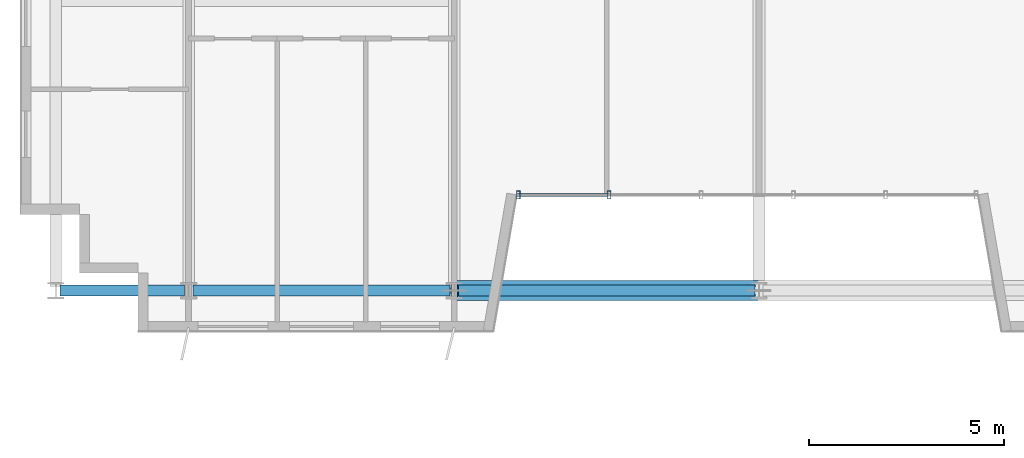
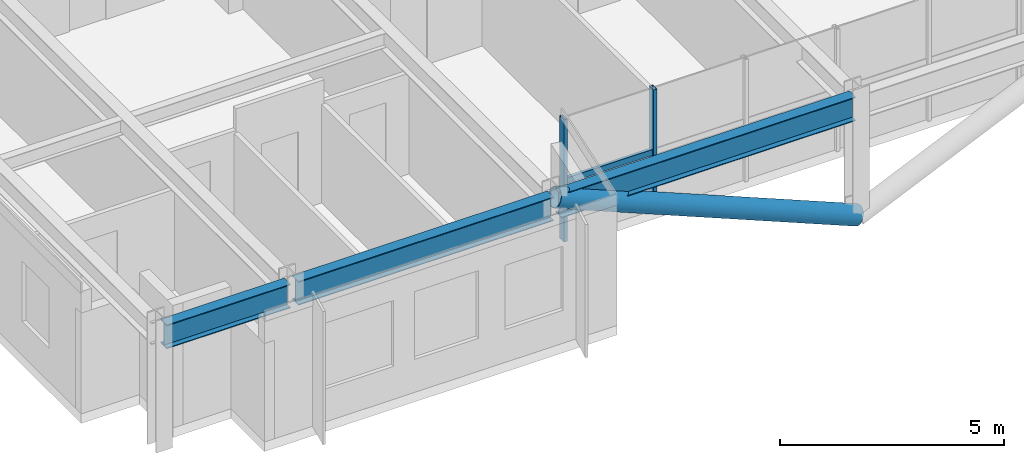
# One storey, part 4 of 25: 4 members, 3 beams, 1 element without a shape of its own.
"""IFC4 building model written with IfcOpenShell, lengths in metres."""

import ifcopenshell
import ifcopenshell.guid

model = None  # the IFC model being written
_history = None  # IfcOwnerHistory: only IFC2X3 demands one
_inside = {}  # id of a spatial element -> (the spatial element, [elements in it])
_under = {}  # id of a project, library or spatial element -> (it, [spatial elements below it])
_declared = {}  # id of a project -> (the project, [libraries it declares])
_typed = {}  # id of a type object -> (the type object, [elements of that type])
_made_of = {}  # id of a material, layer set ... -> (it, [elements and type objects made of it])


def new_model(schema):
    """Start an empty IFC model of exactly this schema.

    Asked for "IFC4X3", IfcOpenShell would pick the latest addendum, in which some entities
    have other attributes; the version numbers below select the first issue.
    IFC2X3 requires an IfcOwnerHistory on every rooted entity: one is made here for all.
    """
    global model, _history
    if schema == "IFC4X3":
        model = ifcopenshell.file(schema_version=(4, 3, 0, 0))
    else:
        model = ifcopenshell.file(schema=schema)
    _inside.clear()
    _under.clear()
    _declared.clear()
    _typed.clear()
    _made_of.clear()
    _history = None
    if model.schema == "IFC2X3":
        org = make("IfcOrganization", Name="unknown")
        user = make(
            "IfcPersonAndOrganization",
            ThePerson=make("IfcPerson", FamilyName="unknown"),
            TheOrganization=org,
        )
        app = make(
            "IfcApplication",
            ApplicationDeveloper=org,
            Version="unknown",
            ApplicationFullName="unknown",
            ApplicationIdentifier="unknown",
        )
        _history = make(
            "IfcOwnerHistory",
            OwningUser=user,
            OwningApplication=app,
            ChangeAction="ADDED",
            CreationDate=0,
        )
    return model


def make(cls, **values):
    """One entity of the class cls with the attributes given. An attribute that is None is left unset."""
    return model.create_entity(
        cls, **{name: value for name, value in values.items() if value is not None}
    )


def rooted(cls, **values):
    """An entity with a GlobalId (a new one), such as an element, a storey or a relation."""
    return make(cls, GlobalId=ifcopenshell.guid.new(), OwnerHistory=_history, **values)


def si_unit(unit_type, name, prefix=None):
    """IfcSIUnit, for example si_unit("LENGTHUNIT", "METRE", prefix="MILLI")."""
    return make("IfcSIUnit", UnitType=unit_type, Prefix=prefix, Name=name)


def assignment(units):
    """IfcUnitAssignment: the units of a project."""
    return None if units is None else make("IfcUnitAssignment", Units=units)


def point(xyz):
    """IfcCartesianPoint."""
    return None if xyz is None else make("IfcCartesianPoint", Coordinates=xyz)


def direction(xyz):
    """IfcDirection."""
    return None if xyz is None else make("IfcDirection", DirectionRatios=xyz)


def frame(location, z_axis=None, x_axis=None):
    """IfcAxis2Placement3D, a coordinate frame: its origin and axes. An axis left out is left unset."""
    return make(
        "IfcAxis2Placement3D",
        Location=point(location),
        Axis=direction(z_axis),
        RefDirection=direction(x_axis),
    )


def frame_2d(location, x_axis=None):
    """IfcAxis2Placement2D, a coordinate frame in the plane: its origin and x axis."""
    return make(
        "IfcAxis2Placement2D", Location=point(location), RefDirection=direction(x_axis)
    )


def origin():
    """The frame at (0, 0, 0) with its axes left unset."""
    return frame((0.0, 0.0, 0.0))


def origin_2d():
    """The frame at (0, 0) in the plane with its x axis left unset."""
    return frame_2d((0.0, 0.0))


def place(relative_to, where):
    """IfcLocalPlacement: puts the frame where relative to a parent placement (None: the world)."""
    return make(
        "IfcLocalPlacement", PlacementRelTo=relative_to, RelativePlacement=where
    )


def context(
    kind, dimensions, precision=None, world=None, true_north=None, identifier=None
):
    """IfcGeometricRepresentationContext, for example the 3D "Model" context."""
    return make(
        "IfcGeometricRepresentationContext",
        ContextIdentifier=identifier,
        ContextType=kind,
        CoordinateSpaceDimension=dimensions,
        Precision=precision,
        WorldCoordinateSystem=world,
        TrueNorth=true_north,
    )


def subcontext(parent, identifier, kind, view, scale=None):
    """IfcGeometricRepresentationSubContext, for example "Body" below "Model"."""
    return make(
        "IfcGeometricRepresentationSubContext",
        ContextIdentifier=identifier,
        ContextType=kind,
        ParentContext=parent,
        TargetScale=scale,
        TargetView=view,
    )


def project(units=None, contexts=None):
    """IfcProject with its units and contexts."""
    return rooted(
        "IfcProject",
        Name="project",
        RepresentationContexts=contexts,
        UnitsInContext=assignment(units),
    )


def spatial(cls, under=None, at=None, **own):
    """A site, building, storey or space (cls), placed at a placement, below another one or the project."""
    s = rooted(cls, ObjectPlacement=at, **own)
    if under is not None:
        _under.setdefault(under.id(), (under, []))[1].append(s)
    return s


def profile(cls, at=None, kind="AREA", **sizes):
    """A parametric profile (cls). Its sizes go by their IFC names, for example OverallWidth=200.0."""
    return make(cls, ProfileType=kind, Position=at, **sizes)


def hollow_rectangle(**sizes):
    """IfcRectangleHollowProfileDef."""
    return profile("IfcRectangleHollowProfileDef", **sizes)


def hollow_circle(**sizes):
    """IfcCircleHollowProfileDef."""
    return profile("IfcCircleHollowProfileDef", **sizes)


def i_section(**sizes):
    """IfcIShapeProfileDef."""
    return profile("IfcIShapeProfileDef", **sizes)


def extrude(swept, where, along, depth):
    """IfcExtrudedAreaSolid: the profile swept, set in the frame where, extruded along a direction by depth."""
    return make(
        "IfcExtrudedAreaSolid",
        SweptArea=swept,
        Position=where,
        ExtrudedDirection=direction(along),
        Depth=depth,
    )


def shape(context_of_items, identifier, shape_type, items):
    """IfcShapeRepresentation: the items that make up one representation, for example the "Body"."""
    return make(
        "IfcShapeRepresentation",
        ContextOfItems=context_of_items,
        RepresentationIdentifier=identifier,
        RepresentationType=shape_type,
        Items=items,
    )


def source(mapping_origin, context_of_items, identifier, shape_type, items):
    """IfcRepresentationMap: a shape defined once, which mapped items show again and again."""
    return make(
        "IfcRepresentationMap",
        MappingOrigin=mapping_origin,
        MappedRepresentation=shape(context_of_items, identifier, shape_type, items),
    )


def transform(
    local_origin,
    x_axis=None,
    y_axis=None,
    z_axis=None,
    scale=None,
    scale2=None,
    scale3=None,
    uniform=True,
):
    """IfcCartesianTransformationOperator3D, or its non-uniform kind. x_axis, y_axis, z_axis: its Axis1, 2, 3."""
    if uniform:
        return make(
            "IfcCartesianTransformationOperator3D",
            Axis1=direction(x_axis),
            Axis2=direction(y_axis),
            LocalOrigin=point(local_origin),
            Scale=scale,
            Axis3=direction(z_axis),
        )
    return make(
        "IfcCartesianTransformationOperator3DnonUniform",
        Axis1=direction(x_axis),
        Axis2=direction(y_axis),
        LocalOrigin=point(local_origin),
        Scale=scale,
        Axis3=direction(z_axis),
        Scale2=scale2,
        Scale3=scale3,
    )


def mapped(mapping_source, mapping_target):
    """IfcMappedItem: shows the shape of a source again, moved by a transform."""
    return make(
        "IfcMappedItem", MappingSource=mapping_source, MappingTarget=mapping_target
    )


def material(Name=None, Category=None):
    """IfcMaterial."""
    return make("IfcMaterial", Name=Name, Category=Category)


def material_profile(
    of_material, cross_section, Name=None, Category=None, Priority=None
):
    """IfcMaterialProfile: a cross section and its material."""
    return make(
        "IfcMaterialProfile",
        Name=Name,
        Material=of_material,
        Profile=cross_section,
        Priority=Priority,
        Category=Category,
    )


def profile_set(profiles, Name=None, composite=None):
    """IfcMaterialProfileSet."""
    return make(
        "IfcMaterialProfileSet",
        Name=Name,
        MaterialProfiles=profiles,
        CompositeProfile=composite,
    )


def made_of(thing, what):
    """Note that an element or type object is made of a material, layer set ...; save() writes the relation."""
    if what is not None:
        _made_of.setdefault(what.id(), (what, []))[1].append(thing)
    return thing


def type_object(cls, material=None, **own):
    """A type object (cls), such as IfcWallType, which elements share."""
    return made_of(rooted(cls, **own), material)


def element(
    cls,
    number,
    at=None,
    inside=None,
    cuts=None,
    type_object=None,
    material=None,
    context=None,
    identifier="Body",
    shape_type=None,
    held_by="IfcProductDefinitionShape",
    body=None,
    shapes=None,
    **own,
):
    """One element of the class cls, such as IfcWall. Its Tag is "e" and its number.

    at: its placement. inside: the storey or other place that contains it. cuts: it is an
    opening in that element (IfcRelVoidsElement). A single representation is given by context,
    identifier, shape_type and body (its items); several are given by shapes. held_by: the class
    of the entity that holds the representations. save() writes the other relations.
    """
    e = rooted(cls, Tag="e%d" % number, ObjectPlacement=at, **own)
    if body is not None:
        shapes = [shape(context, identifier, shape_type, body)]
    if shapes is not None:
        e.Representation = make(held_by, Representations=shapes)
    if inside is not None:
        _inside.setdefault(inside.id(), (inside, []))[1].append(e)
    if cuts is not None:
        rooted(
            "IfcRelVoidsElement", RelatingBuildingElement=cuts, RelatedOpeningElement=e
        )
    if type_object is not None:
        _typed.setdefault(type_object.id(), (type_object, []))[1].append(e)
    return made_of(e, material)


def aggregate(whole, parts):
    """IfcRelAggregates: a whole, such as a stair, and the parts it consists of."""
    return rooted("IfcRelAggregates", RelatingObject=whole, RelatedObjects=parts)


def save(model, path):
    """Write the relations noted so far, then the file.

    IfcRelAggregates (storeys below a building ...), IfcRelContainedInSpatialStructure (elements
    in a storey), IfcRelDefinesByType, IfcRelAssociatesMaterial and IfcRelDeclares: one each for
    every whole, place, type object, material and project.
    """
    for whole, parts in _under.values():
        aggregate(whole, parts)
    for where, things in _inside.values():
        rooted(
            "IfcRelContainedInSpatialStructure",
            RelatedElements=things,
            RelatingStructure=where,
        )
    for kind, things in _typed.values():
        rooted("IfcRelDefinesByType", RelatedObjects=things, RelatingType=kind)
    for what, things in _made_of.values():
        rooted("IfcRelAssociatesMaterial", RelatedObjects=things, RelatingMaterial=what)
    for by, libraries in _declared.values():
        rooted("IfcRelDeclares", RelatingContext=by, RelatedDefinitions=libraries)
    model.write(path)


model = new_model("IFC4")

# Units and contexts
model_context = context("Model", 3, precision=1e-05, world=origin(), true_north=direction((0.0, 1.0)))
body_context = subcontext(model_context, "Body", "Model", "MODEL_VIEW")
ifc_project = project(units=[si_unit("LENGTHUNIT", "METRE"), si_unit("AREAUNIT", "SQUARE_METRE"), si_unit("VOLUMEUNIT", "CUBIC_METRE"), si_unit("PLANEANGLEUNIT", "RADIAN"), si_unit("MASSUNIT", "GRAM", prefix="KILO")], contexts=[model_context])

# Site, building, storey
site_placement = place(None, origin())
site = spatial("IfcSite", under=ifc_project, at=site_placement, CompositionType="ELEMENT")
building_placement = place(site_placement, origin())
building = spatial("IfcBuilding", under=site, at=building_placement, Name="Trelvane Seafront Commons", CompositionType="ELEMENT")
storey_placement = place(building_placement, frame((0.0, 0.0, 66.699951171875)))
storey = spatial("IfcBuildingStorey", under=building, at=storey_placement, Name="L17", CompositionType="ELEMENT", Elevation=66.699951171875)

# Beams
ifc_material_1 = material(Name="Steel SM355 (S355)", Category="steel")
ifc_material_profile_1 = material_profile(ifc_material_1, i_section(OverallWidth=0.280029296875, OverallDepth=0.64990234375, WebThickness=0.012939453125, FlangeThickness=0.02197265625, at=origin_2d()), Name="H-650x280x13x22")
ifc_profile_set_1 = profile_set([ifc_material_profile_1], Name="Steel SM355 (S355)")
beam_type = type_object("IfcBeamType", Name="STR-BM-H650", PredefinedType="BEAM", material=ifc_profile_set_1)
shared_shape_1 = source(origin(), body_context, "Body", "SweptSolid", [
    extrude(i_section(OverallWidth=0.280029296875, OverallDepth=0.64990234375, WebThickness=0.012939453125, FlangeThickness=0.02197265625, at=origin_2d()), origin(), (0.0, 0.0, 1.0), 3.190185546875),
])
beam_1_placement = place(storey_placement, frame((5.5048828125, 3.949951171875, 3.01513671875), z_axis=(1.0, 0.0, 0.0), x_axis=(0.0, 1.0, 0.0)))
element("IfcBeam", 1, at=beam_1_placement, inside=storey, type_object=beam_type, Name="L17 Primary Girder G-01", PredefinedType="BEAM", context=body_context, shape_type="MappedRepresentation", body=[
    mapped(shared_shape_1, transform((0.0, 0.0, 0.0), x_axis=(1.0, 0.0, 0.0), y_axis=(0.0, 1.0, 0.0), z_axis=(0.0, 0.0, 1.0), scale=1.0)),
])
shared_shape_2 = source(origin(), body_context, "Body", "SweptSolid", [
    extrude(i_section(OverallWidth=0.280029296875, OverallDepth=0.64990234375, WebThickness=0.012939453125, FlangeThickness=0.02197265625, at=origin_2d()), origin(), (0.0, 0.0, 1.0), 6.590087890625),
])
beam_2_placement = place(storey_placement, frame((8.905029296875, 3.949951171875, 3.01513671875), z_axis=(1.0, 0.0, 0.0), x_axis=(0.0, 1.0, 0.0)))
element("IfcBeam", 2, at=beam_2_placement, inside=storey, type_object=beam_type, Name="L17 Primary Girder G-02", PredefinedType="BEAM", context=body_context, shape_type="MappedRepresentation", body=[
    mapped(shared_shape_2, transform((0.0, 0.0, 0.0), x_axis=(1.0, 0.0, 0.0), y_axis=(0.0, 1.0, 0.0), z_axis=(0.0, 0.0, 1.0), scale=1.0)),
])
shared_shape_3 = source(origin(), body_context, "Body", "SweptSolid", [
    extrude(i_section(OverallWidth=0.280029296875, OverallDepth=0.64990234375, WebThickness=0.012939453125, FlangeThickness=0.02197265625, at=origin_2d()), origin(), (0.0, 0.0, 1.0), 7.58984375),
])
beam_3_placement = place(storey_placement, frame((15.705078125, 3.949951171875, 3.01513671875), z_axis=(1.0, 0.0, 0.0), x_axis=(0.0, 1.0, 0.0)))
element("IfcBeam", 3, at=beam_3_placement, inside=storey, type_object=beam_type, Name="L17 Primary Girder G-03", PredefinedType="BEAM", context=body_context, shape_type="MappedRepresentation", body=[
    mapped(shared_shape_3, transform((0.0, 0.0, 0.0), x_axis=(1.0, 0.0, 0.0), y_axis=(0.0, 1.0, 0.0), z_axis=(0.0, 0.0, 1.0), scale=1.0)),
])

# Member
ifc_material_profile_2 = material_profile(ifc_material_1, hollow_circle(Radius=0.25390625, WallThickness=0.02001953125, at=origin_2d()), Name="CHS-508x20")
ifc_profile_set_2 = profile_set([ifc_material_profile_2], Name="Steel SM355 (S355)")
member_type_1 = type_object("IfcMemberType", Name="STR-STR-CHS508", PredefinedType="STRUT", material=ifc_profile_set_2)
shared_shape_4 = source(origin(), body_context, "Body", "SweptSolid", [
    extrude(hollow_circle(Radius=0.25390625, WallThickness=0.02001953125, at=origin_2d()), origin(), (0.0, 0.0, 1.0), 8.438232421875),
])
member_1_placement = place(storey_placement, frame((23.39990234375, 3.949951171875, 0.0), z_axis=(-0.924331983769, 0.0, 0.381589286776), x_axis=(0.0, -1.0, 0.0)))
element("IfcMember", 4, at=member_1_placement, inside=storey, type_object=member_type_1, Name="L17 Sky-Garden V-Chevron Brace SGV-W", PredefinedType="STRUT", context=body_context, shape_type="MappedRepresentation", body=[
    mapped(shared_shape_4, transform((0.0, 0.0, 0.0), x_axis=(1.0, 0.0, 0.0), y_axis=(0.0, 1.0, 0.0), z_axis=(0.0, 0.0, 1.0), scale=1.0)),
])

# Curtain wall, members
ifc_material_2 = material(Name="Anodised pale-silver aluminium", Category="aluminium")
curtain_wall_type = type_object("IfcCurtainWallType", Name="ARCH-CW3-PORTAL", PredefinedType="NOTDEFINED", material=ifc_material_2)
curtain_wall_placement = place(storey_placement, origin())
curtain_wall = element("IfcCurtainWall", 5, at=curtain_wall_placement, inside=storey, type_object=curtain_wall_type, Name="CW-L17-VN-0042", PredefinedType="NOTDEFINED")
ifc_material_profile_3 = material_profile(ifc_material_2, hollow_rectangle(XDim=0.090087890625, YDim=0.199951171875, WallThickness=0.0048828125, at=origin_2d()), Name="MULL-90x200x5")
ifc_profile_set_3 = profile_set([ifc_material_profile_3], Name="Anodised pale-silver aluminium")
member_type_2 = type_object("IfcMemberType", Name="ARCH-CW-MULL-200", PredefinedType="MULLION", material=ifc_profile_set_3)
shared_shape_5 = source(origin(), body_context, "Body", "SweptSolid", [
    extrude(hollow_rectangle(XDim=0.090087890625, YDim=0.199951171875, WallThickness=0.0048828125, at=origin_2d()), origin(), (0.0, 0.0, 1.0), 3.340087890625),
])
member_2_placement = place(storey_placement, frame((19.56005859375, 6.39990234375, 0.0), z_axis=(0.0, 0.0, 1.0), x_axis=(1.0, 0.0, 0.0)))
member_2 = element("IfcMember", 6, at=member_2_placement, type_object=member_type_2, Name="CW-L17-VN-0042-M04", PredefinedType="MULLION", context=body_context, shape_type="MappedRepresentation", body=[
    mapped(shared_shape_5, transform((0.0, 0.0, 0.0), x_axis=(1.0, 0.0, 0.0), y_axis=(0.0, 1.0, 0.0), z_axis=(0.0, 0.0, 1.0), scale=1.0)),
])
member_3_placement = place(storey_placement, frame((17.239990234375, 6.39990234375, 0.0), z_axis=(0.0, 0.0, 1.0), x_axis=(1.0, 0.0, 0.0)))
member_3 = element("IfcMember", 7, at=member_3_placement, type_object=member_type_2, Name="CW-L17-VN-0042-M05", PredefinedType="MULLION", context=body_context, shape_type="MappedRepresentation", body=[
    mapped(shared_shape_5, transform((0.0, 0.0, 0.0), x_axis=(1.0, 0.0, 0.0), y_axis=(0.0, 1.0, 0.0), z_axis=(0.0, 0.0, 1.0), scale=1.0)),
])
ifc_material_profile_4 = material_profile(ifc_material_2, hollow_rectangle(XDim=0.080078125, YDim=0.159912109375, WallThickness=0.00439453125, at=origin_2d()), Name="TRAN-80x160x4.5")
ifc_profile_set_4 = profile_set([ifc_material_profile_4], Name="Anodised pale-silver aluminium")
member_type_3 = type_object("IfcMemberType", Name="ARCH-CW-TRAN-160", PredefinedType="USERDEFINED", material=ifc_profile_set_4)
shared_shape_6 = source(origin(), body_context, "Body", "SweptSolid", [
    extrude(hollow_rectangle(XDim=0.080078125, YDim=0.159912109375, WallThickness=0.00439453125, at=origin_2d()), origin(), (0.0, 0.0, 1.0), 2.336181640625),
])
member_4_placement = place(storey_placement, frame((19.548095703125, 6.39990234375, 1.60302734375), z_axis=(-1.0, 0.0, 0.0), x_axis=(0.0, -1.0, 0.0)))
member_4 = element("IfcMember", 8, at=member_4_placement, type_object=member_type_3, Name="CW-L17-VN-0042-T04", ObjectType="TRANSOM", PredefinedType="USERDEFINED", context=body_context, shape_type="MappedRepresentation", body=[
    mapped(shared_shape_6, transform((0.0, 0.0, 0.0), x_axis=(1.0, 0.0, 0.0), y_axis=(0.0, 1.0, 0.0), z_axis=(0.0, 0.0, 1.0), scale=1.0)),
])
aggregate(curtain_wall, [member_2, member_3, member_4])

save(model, "model.ifc")
